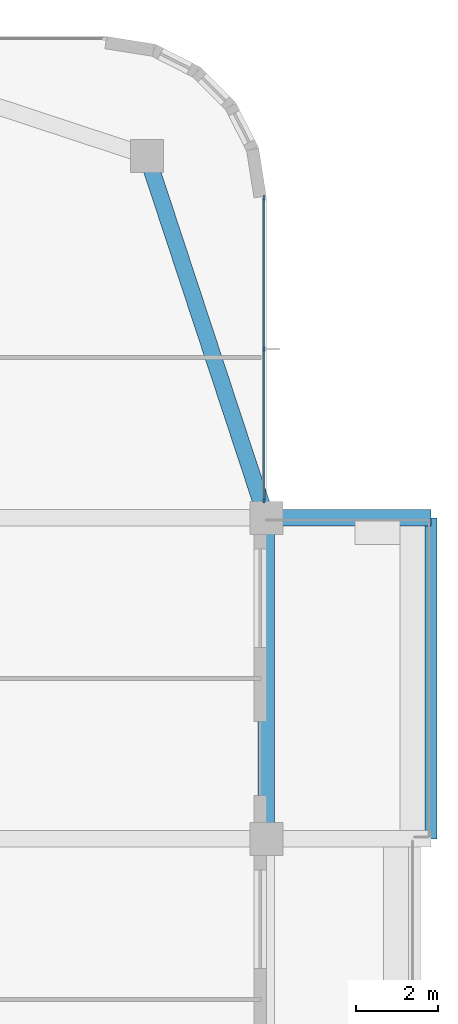
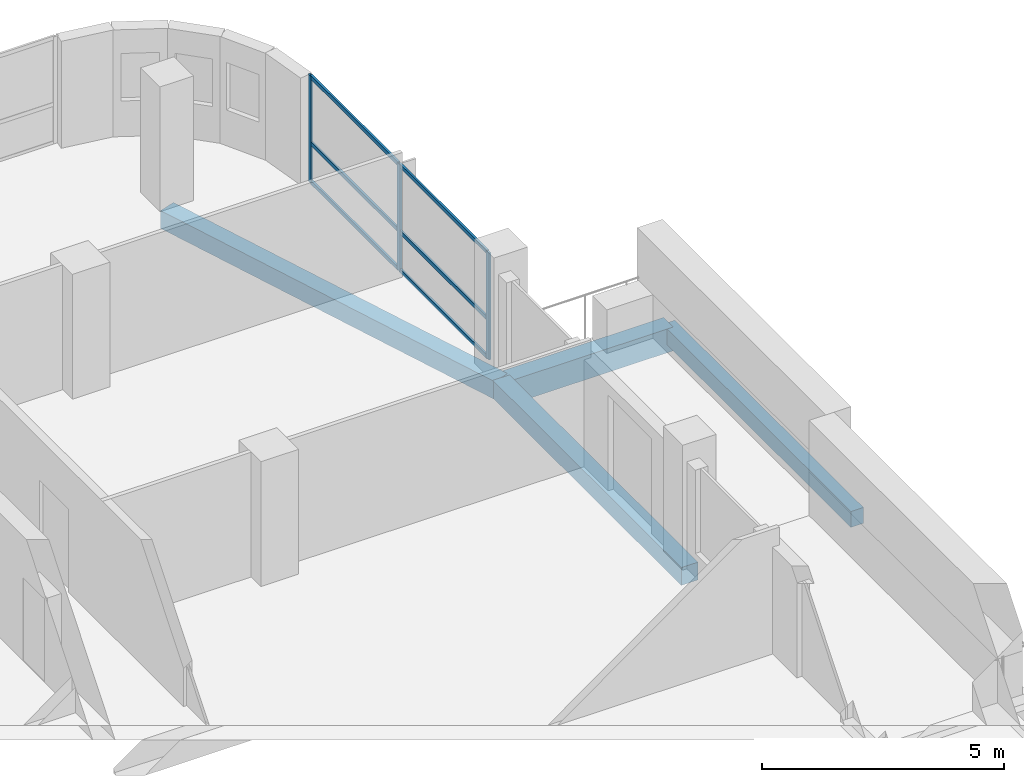
# One storey, part 9 of 22: 9 members, 4 beams, 1 element without a shape of its own.
"""IFC4 building model written with IfcOpenShell, lengths in metres."""

from ifc_helpers import new_model, si_unit, direction, frame, origin, origin_2d, place, context, subcontext, project, spatial, rectangle, extrude, material, material_profile, profile_set, type_object, element, aggregate, save


model = new_model("IFC4")

# Units and contexts
model_context = context("Model", 3, precision=1e-05, world=origin(), true_north=direction((0.0, 1.0)))
body_context = subcontext(model_context, "Body", "Model", "MODEL_VIEW")
ifc_project = project(units=[si_unit("LENGTHUNIT", "METRE"), si_unit("AREAUNIT", "SQUARE_METRE"), si_unit("VOLUMEUNIT", "CUBIC_METRE"), si_unit("PLANEANGLEUNIT", "RADIAN"), si_unit("MASSUNIT", "GRAM", prefix="KILO")], contexts=[model_context])

# Site, building, storey
site_placement = place(None, origin())
site = spatial("IfcSite", under=ifc_project, at=site_placement, CompositionType="ELEMENT")
building_placement = place(site_placement, origin())
building = spatial("IfcBuilding", under=site, at=building_placement, Name="Ludao Terraces", CompositionType="ELEMENT")
storey_placement = place(building_placement, frame((0.0, 0.0, 200.699951171875)))
storey = spatial("IfcBuildingStorey", under=building, at=storey_placement, Name="L54", CompositionType="ELEMENT", Elevation=200.699951171875)

# Curtain wall, members
ifc_material_1 = material(Name="Aluminium curtain wall with fritted glass", Category="aluminium")
curtain_wall_type = type_object("IfcCurtainWallType", Name="ENV CW3 community glazing", PredefinedType="NOTDEFINED", material=ifc_material_1)
curtain_wall_placement = place(storey_placement, origin())
curtain_wall = element("IfcCurtainWall", 1, at=curtain_wall_placement, inside=storey, type_object=curtain_wall_type, Name="Community floor glazing L54 E5", PredefinedType="NOTDEFINED")
ifc_material_2 = material(Name="Aluminium 6063-T6", Category="aluminium")
ifc_material_profile_1 = material_profile(ifc_material_2, rectangle(XDim=0.050048828125, YDim=0.1201171875, at=origin_2d()), Name="50 X 120")
ifc_profile_set_1 = profile_set([ifc_material_profile_1], Name="Aluminium 6063-T6")
member_type_1 = type_object("IfcMemberType", Name="ENV CW3 mullion 50x120", PredefinedType="MULLION", material=ifc_profile_set_1)
member_1_placement = place(storey_placement, frame((108.340087890625, 77.125, 0.0), z_axis=(0.0, 0.0, 1.0), x_axis=(-1.0, 0.0, 0.0)))
member_1 = element("IfcMember", 2, at=member_1_placement, type_object=member_type_1, Name="CW3 mullion 1", PredefinedType="MULLION", context=body_context, shape_type="SweptSolid", body=[
    extrude(rectangle(XDim=0.050048828125, YDim=0.1201171875, at=origin_2d()), origin(), (0.0, 0.0, 1.0), 2.699951171875),
])
member_2_placement = place(storey_placement, frame((108.340087890625, 80.800048828125, 0.0), z_axis=(0.0, 0.0, 1.0), x_axis=(-1.0, 0.0, 0.0)))
member_2 = element("IfcMember", 3, at=member_2_placement, type_object=member_type_1, Name="CW3 mullion 2", PredefinedType="MULLION", context=body_context, shape_type="SweptSolid", body=[
    extrude(rectangle(XDim=0.050048828125, YDim=0.1201171875, at=origin_2d()), origin(), (0.0, 0.0, 1.0), 2.699951171875),
])
member_3_placement = place(storey_placement, frame((108.340087890625, 84.47509765625, 0.0), z_axis=(0.0, 0.0, 1.0), x_axis=(-1.0, 0.0, 0.0)))
member_3 = element("IfcMember", 4, at=member_3_placement, type_object=member_type_1, Name="CW3 mullion 3", PredefinedType="MULLION", context=body_context, shape_type="SweptSolid", body=[
    extrude(rectangle(XDim=0.050048828125, YDim=0.1201171875, at=origin_2d()), origin(), (0.0, 0.0, 1.0), 2.699951171875),
])
ifc_material_profile_2 = material_profile(ifc_material_2, rectangle(XDim=0.050048828125, YDim=0.10009765625, at=origin_2d()), Name="50 X 100")
ifc_profile_set_2 = profile_set([ifc_material_profile_2], Name="Aluminium 6063-T6")
member_type_2 = type_object("IfcMemberType", Name="ENV CW3 transom 50x100", PredefinedType="USERDEFINED", material=ifc_profile_set_2)
member_4_placement = place(storey_placement, frame((108.340087890625, 77.14990234375, 0.025146484375), z_axis=(0.0, 1.0, 0.0), x_axis=(-1.0, 0.0, 0.0)))
member_4 = element("IfcMember", 5, at=member_4_placement, type_object=member_type_2, Name="CW3 transom 1.1", ObjectType="TRANSOM", PredefinedType="USERDEFINED", context=body_context, shape_type="SweptSolid", body=[
    extrude(rectangle(XDim=0.050048828125, YDim=0.10009765625, at=origin_2d()), origin(), (0.0, 0.0, 1.0), 3.625),
])
member_5_placement = place(storey_placement, frame((108.340087890625, 77.14990234375, 1.0), z_axis=(0.0, 1.0, 0.0), x_axis=(-1.0, 0.0, 0.0)))
member_5 = element("IfcMember", 6, at=member_5_placement, type_object=member_type_2, Name="CW3 transom 1.2", ObjectType="TRANSOM", PredefinedType="USERDEFINED", context=body_context, shape_type="SweptSolid", body=[
    extrude(rectangle(XDim=0.050048828125, YDim=0.10009765625, at=origin_2d()), origin(), (0.0, 0.0, 1.0), 3.625),
])
member_6_placement = place(storey_placement, frame((108.340087890625, 77.14990234375, 2.675048828125), z_axis=(0.0, 1.0, 0.0), x_axis=(-1.0, 0.0, 0.0)))
member_6 = element("IfcMember", 7, at=member_6_placement, type_object=member_type_2, Name="CW3 transom 1.3", ObjectType="TRANSOM", PredefinedType="USERDEFINED", context=body_context, shape_type="SweptSolid", body=[
    extrude(rectangle(XDim=0.050048828125, YDim=0.10009765625, at=origin_2d()), origin(), (0.0, 0.0, 1.0), 3.625),
])
member_7_placement = place(storey_placement, frame((108.340087890625, 80.824951171875, 0.025146484375), z_axis=(0.0, 1.0, 0.0), x_axis=(-1.0, 0.0, 0.0)))
member_7 = element("IfcMember", 8, at=member_7_placement, type_object=member_type_2, Name="CW3 transom 2.1", ObjectType="TRANSOM", PredefinedType="USERDEFINED", context=body_context, shape_type="SweptSolid", body=[
    extrude(rectangle(XDim=0.050048828125, YDim=0.10009765625, at=origin_2d()), origin(), (0.0, 0.0, 1.0), 3.625),
])
member_8_placement = place(storey_placement, frame((108.340087890625, 80.824951171875, 1.0), z_axis=(0.0, 1.0, 0.0), x_axis=(-1.0, 0.0, 0.0)))
member_8 = element("IfcMember", 9, at=member_8_placement, type_object=member_type_2, Name="CW3 transom 2.2", ObjectType="TRANSOM", PredefinedType="USERDEFINED", context=body_context, shape_type="SweptSolid", body=[
    extrude(rectangle(XDim=0.050048828125, YDim=0.10009765625, at=origin_2d()), origin(), (0.0, 0.0, 1.0), 3.625),
])
member_9_placement = place(storey_placement, frame((108.340087890625, 80.824951171875, 2.675048828125), z_axis=(0.0, 1.0, 0.0), x_axis=(-1.0, 0.0, 0.0)))
member_9 = element("IfcMember", 10, at=member_9_placement, type_object=member_type_2, Name="CW3 transom 2.3", ObjectType="TRANSOM", PredefinedType="USERDEFINED", context=body_context, shape_type="SweptSolid", body=[
    extrude(rectangle(XDim=0.050048828125, YDim=0.10009765625, at=origin_2d()), origin(), (0.0, 0.0, 1.0), 3.625),
])
aggregate(curtain_wall, [member_1, member_2, member_3, member_4, member_5, member_6, member_7, member_8, member_9])

# Beams
ifc_material_3 = material(Name="Concrete C40", Category="concrete")
ifc_material_profile_3 = material_profile(ifc_material_3, rectangle(XDim=0.300048828125, YDim=0.39990234375, at=origin_2d()), Name="300 X 400")
ifc_profile_set_3 = profile_set([ifc_material_profile_3], Name="Concrete C40")
beam_type_1 = type_object("IfcBeamType", Name="RC beam 300x400 C40", PredefinedType="BEAM", material=ifc_profile_set_3)
beam_1_placement = place(storey_placement, frame((112.39990234375, 68.89990234375, -0.449951171875), z_axis=(0.0, 1.0, 0.0), x_axis=(-1.0, 0.0, 0.0)))
element("IfcBeam", 11, at=beam_1_placement, inside=storey, type_object=beam_type_1, Name="Balcony edge beam L54 E3", PredefinedType="BEAM", context=body_context, shape_type="SweptSolid", body=[
    extrude(rectangle(XDim=0.300048828125, YDim=0.39990234375, at=origin_2d()), origin(), (0.0, 0.0, 1.0), 7.800048828125),
])
ifc_material_profile_4 = material_profile(ifc_material_3, rectangle(XDim=0.39990234375, YDim=0.449951171875, at=origin_2d()), Name="400 X 450")
ifc_profile_set_4 = profile_set([ifc_material_profile_4], Name="Concrete C40")
beam_type_2 = type_object("IfcBeamType", Name="RC beam 400x450 C40", PredefinedType="BEAM", material=ifc_profile_set_4)
beam_2_placement = place(storey_placement, frame((108.39990234375, 68.89990234375, -0.474853515625), z_axis=(0.0, 1.0, 0.0), x_axis=(-1.0, 0.0, 0.0)))
element("IfcBeam", 12, at=beam_2_placement, inside=storey, type_object=beam_type_2, Name="Spandrel beam L54 E16", PredefinedType="BEAM", context=body_context, shape_type="SweptSolid", body=[
    extrude(rectangle(XDim=0.39990234375, YDim=0.449951171875, at=origin_2d()), origin(), (0.0, 0.0, 1.0), 7.800048828125),
])
beam_3_placement = place(storey_placement, frame((108.39990234375, 76.699951171875, -0.474853515625), z_axis=(-0.312977042379, 0.949760691408, 0.0), x_axis=(-0.949760691408, -0.312977042379, 0.0)))
element("IfcBeam", 13, at=beam_3_placement, inside=storey, type_object=beam_type_2, Name="Spandrel beam L54 E17", PredefinedType="BEAM", context=body_context, shape_type="SweptSolid", body=[
    extrude(rectangle(XDim=0.39990234375, YDim=0.449951171875, at=origin_2d()), origin(), (0.0, 0.0, 1.0), 9.265625),
])
ifc_material_profile_5 = material_profile(ifc_material_3, rectangle(XDim=0.39990234375, YDim=0.60009765625, at=origin_2d()), Name="400 X 600")
ifc_profile_set_5 = profile_set([ifc_material_profile_5], Name="Concrete C40")
beam_type_3 = type_object("IfcBeamType", Name="RC beam 400x600 C40", PredefinedType="BEAM", material=ifc_profile_set_5)
beam_4_placement = place(storey_placement, frame((108.39990234375, 76.699951171875, -0.550048828125), z_axis=(1.0, 0.0, 0.0), x_axis=(0.0, 1.0, 0.0)))
element("IfcBeam", 14, at=beam_4_placement, inside=storey, type_object=beam_type_3, Name="Balcony beam L54 E767", PredefinedType="BEAM", context=body_context, shape_type="SweptSolid", body=[
    extrude(rectangle(XDim=0.39990234375, YDim=0.60009765625, at=origin_2d()), origin(), (0.0, 0.0, 1.0), 4.0),
])

save(model, "model.ifc")
